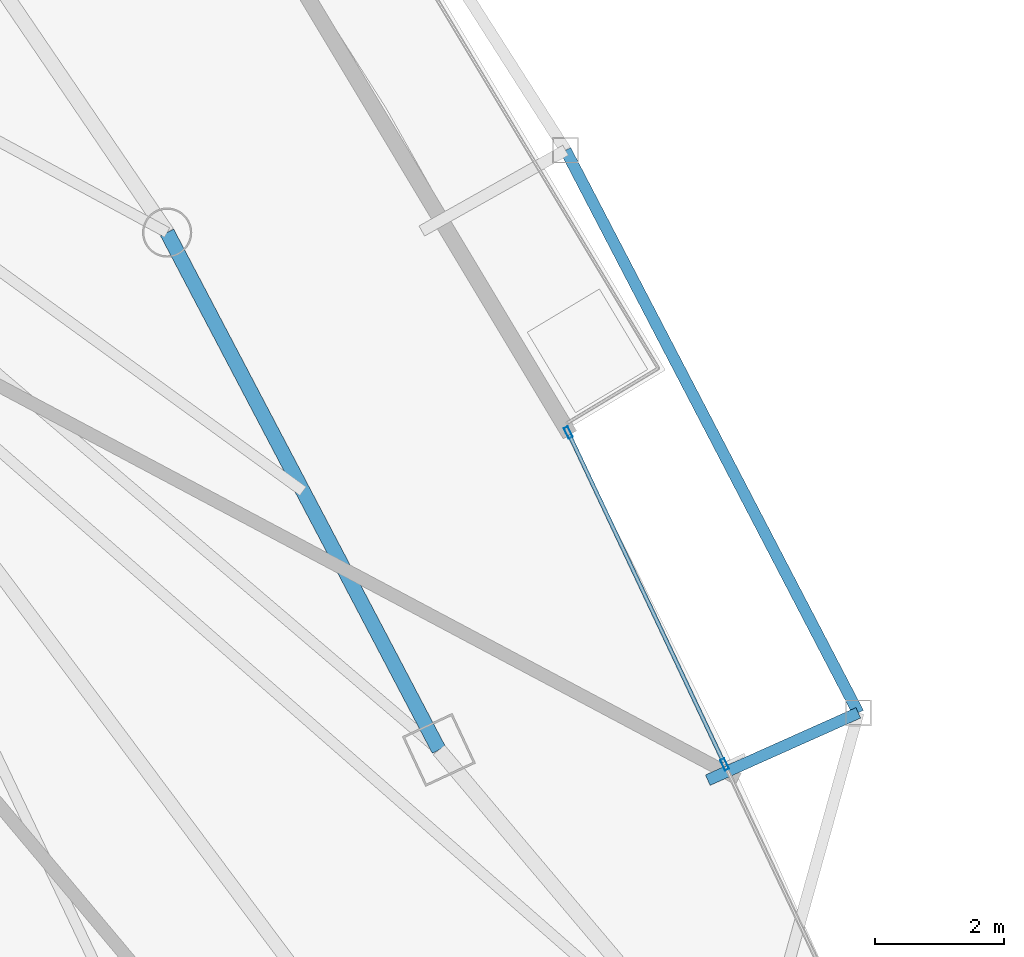
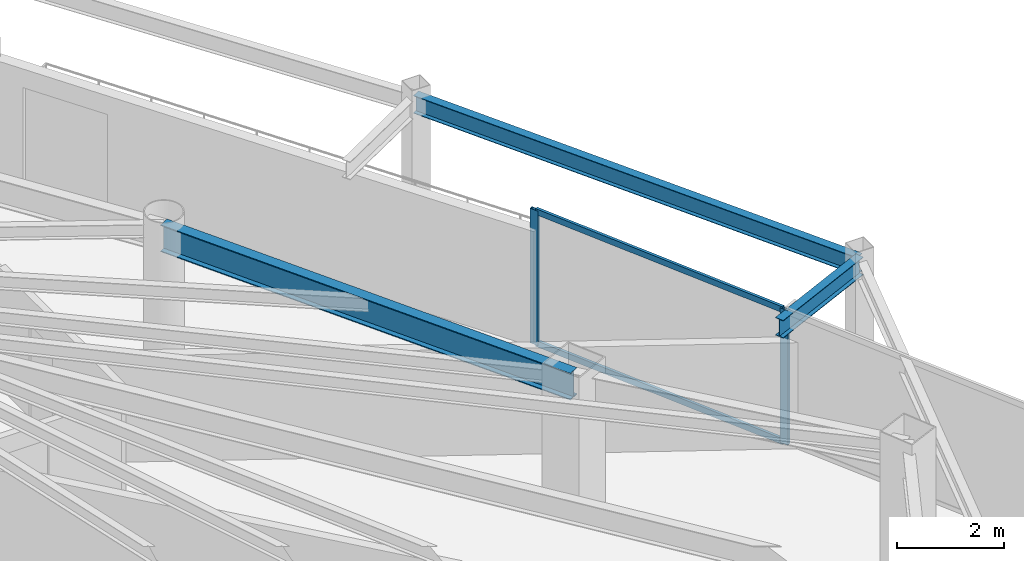
# One storey, part 17 of 31: 4 members, 3 beams, 1 element without a shape of its own.
"""IFC4 building model written with IfcOpenShell, lengths in metres."""

from ifc_helpers import new_model, si_unit, direction, frame, origin, origin_2d, place, context, subcontext, project, spatial, hollow_rectangle, i_section, extrude, material, layer, layer_set, material_profile, profile_set, type_object, element, aggregate, save


model = new_model("IFC4")

# Units and contexts
model_context = context("Model", 3, precision=1e-05, world=origin(), true_north=direction((0.0, 1.0)))
body_context = subcontext(model_context, "Body", "Model", "MODEL_VIEW")
ifc_project = project(units=[si_unit("LENGTHUNIT", "METRE"), si_unit("AREAUNIT", "SQUARE_METRE"), si_unit("VOLUMEUNIT", "CUBIC_METRE"), si_unit("PLANEANGLEUNIT", "RADIAN"), si_unit("MASSUNIT", "GRAM", prefix="KILO")], contexts=[model_context])

# Site, building, storey
site_placement = place(None, origin())
site = spatial("IfcSite", under=ifc_project, at=site_placement, CompositionType="ELEMENT")
building_placement = place(site_placement, origin())
building = spatial("IfcBuilding", under=site, at=building_placement, Name="Orvanel Arch Residences", CompositionType="ELEMENT")
storey_placement = place(building_placement, frame((0.0, 0.0, 126.5)))
storey = spatial("IfcBuildingStorey", under=building, at=storey_placement, Name="L35", CompositionType="ELEMENT", Elevation=126.5)

# Curtain wall, members
ifc_material_1 = material(Name="Bronze-anodised aluminium AA6063-T6", Category="aluminium")
ifc_layer = layer(ifc_material_1, 0.179931640625)
ifc_layer_set = layer_set([ifc_layer], Name="Bronze-anodised aluminium AA6063-T6")
curtain_wall_type = type_object("IfcCurtainWallType", Name="CW3-MID-SYS", PredefinedType="NOTDEFINED", material=ifc_layer_set)
curtain_wall_placement = place(storey_placement, origin())
curtain_wall = element("IfcCurtainWall", 1, at=curtain_wall_placement, inside=storey, type_object=curtain_wall_type, Name="L35 CW3-MID-SYS Unitised Curtain Wall", PredefinedType="NOTDEFINED")
ifc_material_profile_1 = material_profile(ifc_material_1, hollow_rectangle(XDim=0.070068359375, YDim=0.179931640625, WallThickness=0.00439453125, at=origin_2d()), Name="ALU180x70x4.5")
ifc_profile_set_1 = profile_set([ifc_material_profile_1], Name="Bronze-anodised aluminium AA6063-T6")
member_type_1 = type_object("IfcMemberType", Name="MUL-180x70", PredefinedType="MULLION", material=ifc_profile_set_1)
member_1_placement = place(storey_placement, frame((54.050537109375, 19.41796875, 0.0), z_axis=(0.0, 0.0, 1.0), x_axis=(-0.904626023981, -0.426206237326, 0.0)))
member_1 = element("IfcMember", 2, at=member_1_placement, type_object=member_type_1, Name="CW-S3 mullion 2", PredefinedType="MULLION", context=body_context, shape_type="SweptSolid", body=[
    extrude(hollow_rectangle(XDim=0.070068359375, YDim=0.179931640625, WallThickness=0.00439453125, at=origin_2d()), origin(), (0.0, 0.0, 1.0), 3.06005859375),
])
member_2_placement = place(storey_placement, frame((51.6328125, 24.54931640625, 0.0), z_axis=(0.0, 0.0, 1.0), x_axis=(-0.904626023981, -0.426206237326, 0.0)))
member_2 = element("IfcMember", 3, at=member_2_placement, type_object=member_type_1, Name="CW-S3 mullion 3", PredefinedType="MULLION", context=body_context, shape_type="SweptSolid", body=[
    extrude(hollow_rectangle(XDim=0.070068359375, YDim=0.179931640625, WallThickness=0.00439453125, at=origin_2d()), origin(), (0.0, 0.0, 1.0), 3.06005859375),
])

# Beams
ifc_material_2 = material(Name="Structural steel AS/NZS 3679.1 Grade 300 (300 MPa)", Category="steel")
ifc_material_profile_2 = material_profile(ifc_material_2, i_section(OverallWidth=0.177978515625, OverallDepth=0.406005859375, WebThickness=0.0078125, FlangeThickness=0.0126953125, at=origin_2d()), Name="410UB59.7")
ifc_profile_set_2 = profile_set([ifc_material_profile_2], Name="Structural steel AS/NZS 3679.1 Grade 300 (300 MPa)")
beam_type_1 = type_object("IfcBeamType", Name="OB-410UB-EXT", PredefinedType="SPANDREL", material=ifc_profile_set_2)
beam_1_placement = place(storey_placement, frame((53.7900390625, 19.174072265625, 2.85693359375), z_axis=(0.912877409739, 0.408233799174, 0.0), x_axis=(-0.408233799174, 0.912877409739, 0.0)))
element("IfcBeam", 4, at=beam_1_placement, inside=storey, type_object=beam_type_1, Name="L35 Outer Frame Radial Tie Beam 09", PredefinedType="SPANDREL", context=body_context, shape_type="SweptSolid", body=[
    extrude(i_section(OverallWidth=0.177978515625, OverallDepth=0.406005859375, WebThickness=0.0078125, FlangeThickness=0.0126953125, at=origin_2d()), origin(), (0.0, 0.0, 1.0), 2.550048828125),
])
beam_2_placement = place(storey_placement, frame((56.117919921875, 20.215087890625, 2.85693359375), z_axis=(-0.461546353988, 0.887116093373, 0.0), x_axis=(-0.887116093373, -0.461546353988, 0.0)))
element("IfcBeam", 5, at=beam_2_placement, inside=storey, type_object=beam_type_1, Name="L35 Outer Perimeter Floor Ring Beam 09", PredefinedType="SPANDREL", context=body_context, shape_type="SweptSolid", body=[
    extrude(i_section(OverallWidth=0.177978515625, OverallDepth=0.406005859375, WebThickness=0.0078125, FlangeThickness=0.0126953125, at=origin_2d()), origin(), (0.0, 0.0, 1.0), 9.805908203125),
])
ifc_material_profile_3 = material_profile(ifc_material_2, i_section(OverallWidth=0.22900390625, OverallDepth=0.612060546875, WebThickness=0.011962890625, FlangeThickness=0.01953125, at=origin_2d()), Name="610UB125")
ifc_profile_set_3 = profile_set([ifc_material_profile_3], Name="Structural steel AS/NZS 3679.1 Grade 300 (300 MPa)")
beam_type_2 = type_object("IfcBeamType", Name="SP-610UB", PredefinedType="SPANDREL", material=ifc_profile_set_3)
beam_3_placement = place(storey_placement, frame((49.633056640625, 19.64208984375, 2.75390625), z_axis=(-0.465064762793, 0.885276660942, 0.0), x_axis=(-0.885276660942, -0.465064762793, 0.0)))
element("IfcBeam", 6, at=beam_3_placement, inside=storey, type_object=beam_type_2, Name="L35 Perimeter Spandrel Beam 11", PredefinedType="SPANDREL", context=body_context, shape_type="SweptSolid", body=[
    extrude(i_section(OverallWidth=0.22900390625, OverallDepth=0.612060546875, WebThickness=0.011962890625, FlangeThickness=0.01953125, at=origin_2d()), origin(), (0.0, 0.0, 1.0), 9.03564453125),
])

# Member
ifc_material_profile_4 = material_profile(ifc_material_1, hollow_rectangle(XDim=0.06005859375, YDim=0.135009765625, WallThickness=0.00390625, at=origin_2d()), Name="ALU135x60x4")
ifc_profile_set_4 = profile_set([ifc_material_profile_4], Name="Bronze-anodised aluminium AA6063-T6")
member_type_2 = type_object("IfcMemberType", Name="TRN-135x60", PredefinedType="USERDEFINED", material=ifc_profile_set_4)
member_3_placement = place(storey_placement, frame((54.03564453125, 19.44970703125, 0.030029296875), z_axis=(-0.426208344107, 0.904625031388, 0.0), x_axis=(-0.904625031388, -0.426208344107, 0.0)))
member_3 = element("IfcMember", 7, at=member_3_placement, type_object=member_type_2, Name="CW-S3 transom 2.1", ObjectType="TRANSOM", PredefinedType="USERDEFINED", context=body_context, shape_type="SweptSolid", body=[
    extrude(hollow_rectangle(XDim=0.06005859375, YDim=0.135009765625, WallThickness=0.00390625, at=origin_2d()), origin(), (0.0, 0.0, 1.0), 5.602294921875),
])

member_4_placement = place(storey_placement, frame((54.03564453125, 19.44970703125, 3.030029296875), z_axis=(-0.426208344107, 0.904625031388, 0.0), x_axis=(-0.904625031388, -0.426208344107, 0.0)))
member_4 = element("IfcMember", 8, at=member_4_placement, type_object=member_type_2, Name="CW-S3 transom 2.2", ObjectType="TRANSOM", PredefinedType="USERDEFINED", context=body_context, shape_type="SweptSolid", body=[
    extrude(hollow_rectangle(XDim=0.06005859375, YDim=0.135009765625, WallThickness=0.00390625, at=origin_2d()), origin(), (0.0, 0.0, 1.0), 5.602294921875),
])

aggregate(curtain_wall, [member_1, member_2, member_3, member_4])

save(model, "model.ifc")
